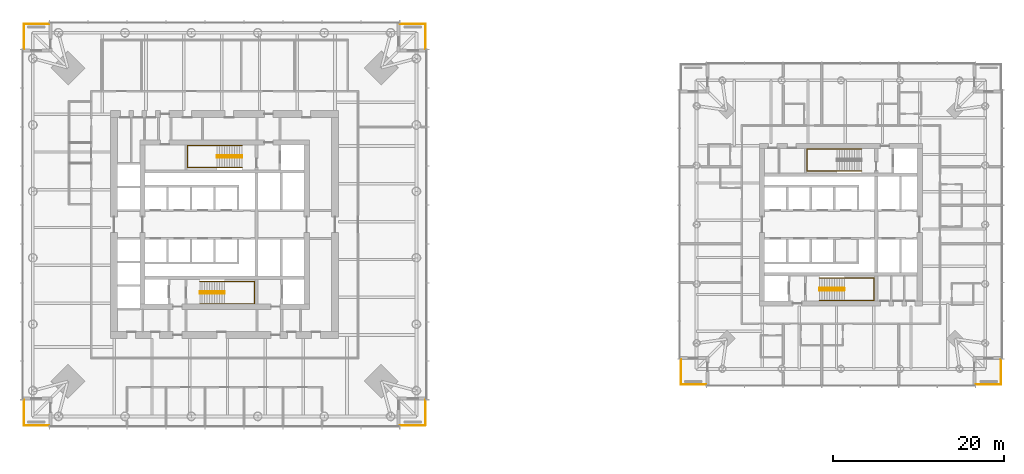
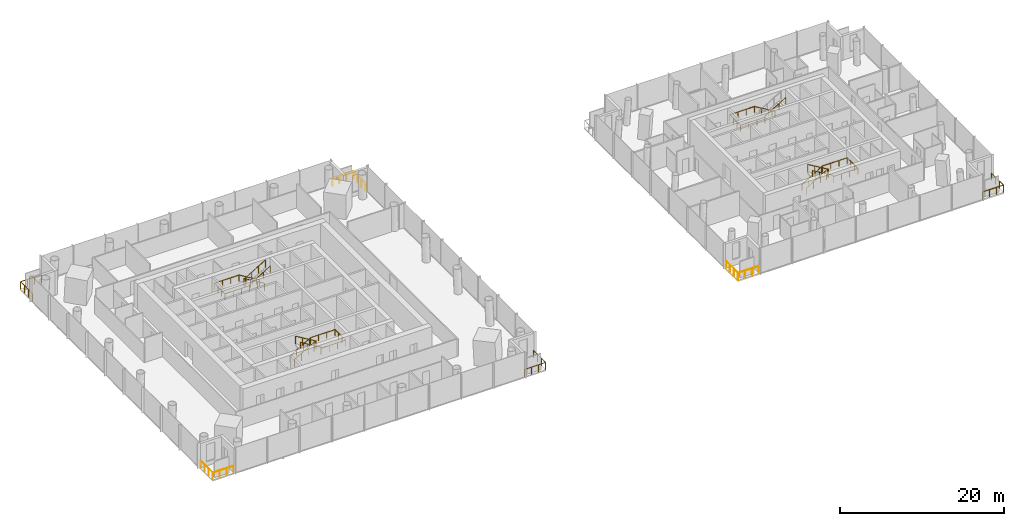
# One storey, part 17 of 18: 13 railings.
"""IFC4 building model written with IfcOpenShell, lengths in metres."""

from ifc_helpers import new_model, si_unit, direction, frame, origin, origin_2d, place, context, subcontext, project, spatial, circle, extrude, material, type_object, element, save


model = new_model("IFC4")

# Units and contexts
model_context = context("Model", 3, precision=1e-05, world=origin(), true_north=direction((0.0, 1.0)))
body_context = subcontext(model_context, "Body", "Model", "MODEL_VIEW")
ifc_project = project(units=[si_unit("LENGTHUNIT", "METRE"), si_unit("AREAUNIT", "SQUARE_METRE"), si_unit("VOLUMEUNIT", "CUBIC_METRE"), si_unit("PLANEANGLEUNIT", "RADIAN"), si_unit("MASSUNIT", "GRAM", prefix="KILO")], contexts=[model_context])

# Site, building, storey
site_placement = place(None, origin())
site = spatial("IfcSite", under=ifc_project, at=site_placement, CompositionType="ELEMENT")
building_placement = place(site_placement, origin())
building = spatial("IfcBuilding", under=site, at=building_placement, Name="Ostroluk Exchange", CompositionType="ELEMENT")
storey_placement = place(building_placement, frame((0.0, 0.0, 70.39990234375)))
storey = spatial("IfcBuildingStorey", under=building, at=storey_placement, Name="L17", CompositionType="ELEMENT", Elevation=70.39990234375)

# Railings
ifc_material_1 = material(Name="Stainless steel", Category="steel")
railing_type_1 = type_object("IfcRailingType", Name="Guard 1100 stainless steel", PredefinedType="GUARDRAIL", material=ifc_material_1)
railing_1_placement = place(storey_placement, frame((65.5, 22.550048828125, 0.0)))
element("IfcRailing", 1, at=railing_1_placement, inside=storey, type_object=railing_type_1, Name="Office tower SE balcony guard L17", PredefinedType="GUARDRAIL", context=body_context, shape_type="SweptSolid", body=[
    extrude(circle(Radius=0.02392578125, at=origin_2d()), frame((0.0, 0.0, 1.076171875), z_axis=(1.0, 0.0, 0.0), x_axis=(0.0, 1.0, 0.0)), (0.0, 0.0, 1.0), 2.949951171875),
    extrude(circle(Radius=0.02392578125, at=origin_2d()), frame((2.949951171875, 0.0, 1.076171875), z_axis=(0.0, 1.0, 0.0), x_axis=(-1.0, 0.0, 0.0)), (0.0, 0.0, 1.0), 2.949951171875),
    extrude(circle(Radius=0.02099609375, at=origin_2d()), origin(), (0.0, 0.0, 1.0), 1.052001953125),
    extrude(circle(Radius=0.02099609375, at=origin_2d()), frame((0.9833984375, 0.0, 0.0)), (0.0, 0.0, 1.0), 1.052001953125),
    extrude(circle(Radius=0.02099609375, at=origin_2d()), frame((1.966552734375, 0.0, 0.0)), (0.0, 0.0, 1.0), 1.052001953125),
    extrude(circle(Radius=0.02099609375, at=origin_2d()), frame((2.949951171875, 0.0, 0.0)), (0.0, 0.0, 1.0), 1.052001953125),
    extrude(circle(Radius=0.02099609375, at=origin_2d()), frame((2.949951171875, 0.9833984375, 0.0)), (0.0, 0.0, 1.0), 1.052001953125),
    extrude(circle(Radius=0.02099609375, at=origin_2d()), frame((2.949951171875, 1.966552734375, 0.0)), (0.0, 0.0, 1.0), 1.052001953125),
    extrude(circle(Radius=0.02099609375, at=origin_2d()), frame((2.949951171875, 2.949951171875, 0.0)), (0.0, 0.0, 1.0), 1.052001953125),
])
railing_2_placement = place(storey_placement, frame((65.5, 69.449951171875, 0.0)))
element("IfcRailing", 2, at=railing_2_placement, inside=storey, type_object=railing_type_1, Name="Office tower NE balcony guard L17", PredefinedType="GUARDRAIL", context=body_context, shape_type="SweptSolid", body=[
    extrude(circle(Radius=0.02392578125, at=origin_2d()), frame((0.0, 0.0, 1.076171875), z_axis=(1.0, 0.0, 0.0), x_axis=(0.0, 1.0, 0.0)), (0.0, 0.0, 1.0), 2.949951171875),
    extrude(circle(Radius=0.02392578125, at=origin_2d()), frame((2.949951171875, 0.0, 1.076171875), z_axis=(0.0, -1.0, 0.0), x_axis=(1.0, 0.0, 0.0)), (0.0, 0.0, 1.0), 2.949951171875),
    extrude(circle(Radius=0.02099609375, at=origin_2d()), origin(), (0.0, 0.0, 1.0), 1.052001953125),
    extrude(circle(Radius=0.02099609375, at=origin_2d()), frame((0.9833984375, 0.0, 0.0)), (0.0, 0.0, 1.0), 1.052001953125),
    extrude(circle(Radius=0.02099609375, at=origin_2d()), frame((1.966552734375, 0.0, 0.0)), (0.0, 0.0, 1.0), 1.052001953125),
    extrude(circle(Radius=0.02099609375, at=origin_2d()), frame((2.949951171875, 0.0, 0.0)), (0.0, 0.0, 1.0), 1.052001953125),
    extrude(circle(Radius=0.02099609375, at=origin_2d()), frame((2.949951171875, -0.9833984375, 0.0)), (0.0, 0.0, 1.0), 1.052001953125),
    extrude(circle(Radius=0.02099609375, at=origin_2d()), frame((2.949951171875, -1.966552734375, 0.0)), (0.0, 0.0, 1.0), 1.052001953125),
    extrude(circle(Radius=0.02099609375, at=origin_2d()), frame((2.949951171875, -2.949951171875, 0.0)), (0.0, 0.0, 1.0), 1.052001953125),
])
railing_3_placement = place(storey_placement, frame((24.5, 69.449951171875, 0.0)))
element("IfcRailing", 3, at=railing_3_placement, inside=storey, type_object=railing_type_1, Name="Office tower NW balcony guard L17", PredefinedType="GUARDRAIL", context=body_context, shape_type="SweptSolid", body=[
    extrude(circle(Radius=0.02392578125, at=origin_2d()), frame((0.0, 0.0, 1.076171875), z_axis=(-1.0, 0.0, 0.0), x_axis=(0.0, -1.0, 0.0)), (0.0, 0.0, 1.0), 2.949951171875),
    extrude(circle(Radius=0.02392578125, at=origin_2d()), frame((-2.949951171875, 0.0, 1.076171875), z_axis=(0.0, -1.0, 0.0), x_axis=(1.0, 0.0, 0.0)), (0.0, 0.0, 1.0), 2.949951171875),
    extrude(circle(Radius=0.02099609375, at=origin_2d()), origin(), (0.0, 0.0, 1.0), 1.052001953125),
    extrude(circle(Radius=0.02099609375, at=origin_2d()), frame((-0.9833984375, 0.0, 0.0)), (0.0, 0.0, 1.0), 1.052001953125),
    extrude(circle(Radius=0.02099609375, at=origin_2d()), frame((-1.966552734375, 0.0, 0.0)), (0.0, 0.0, 1.0), 1.052001953125),
    extrude(circle(Radius=0.02099609375, at=origin_2d()), frame((-2.949951171875, 0.0, 0.0)), (0.0, 0.0, 1.0), 1.052001953125),
    extrude(circle(Radius=0.02099609375, at=origin_2d()), frame((-2.949951171875, -0.9833984375, 0.0)), (0.0, 0.0, 1.0), 1.052001953125),
    extrude(circle(Radius=0.02099609375, at=origin_2d()), frame((-2.949951171875, -1.966552734375, 0.0)), (0.0, 0.0, 1.0), 1.052001953125),
    extrude(circle(Radius=0.02099609375, at=origin_2d()), frame((-2.949951171875, -2.949951171875, 0.0)), (0.0, 0.0, 1.0), 1.052001953125),
])
railing_4_placement = place(storey_placement, frame((24.5, 22.550048828125, 0.0)))
element("IfcRailing", 4, at=railing_4_placement, inside=storey, type_object=railing_type_1, Name="Office tower SW balcony guard L17", PredefinedType="GUARDRAIL", context=body_context, shape_type="SweptSolid", body=[
    extrude(circle(Radius=0.02392578125, at=origin_2d()), frame((0.0, 0.0, 1.076171875), z_axis=(-1.0, 0.0, 0.0), x_axis=(0.0, -1.0, 0.0)), (0.0, 0.0, 1.0), 2.949951171875),
    extrude(circle(Radius=0.02392578125, at=origin_2d()), frame((-2.949951171875, 0.0, 1.076171875), z_axis=(0.0, 1.0, 0.0), x_axis=(-1.0, 0.0, 0.0)), (0.0, 0.0, 1.0), 2.949951171875),
    extrude(circle(Radius=0.02099609375, at=origin_2d()), origin(), (0.0, 0.0, 1.0), 1.052001953125),
    extrude(circle(Radius=0.02099609375, at=origin_2d()), frame((-0.9833984375, 0.0, 0.0)), (0.0, 0.0, 1.0), 1.052001953125),
    extrude(circle(Radius=0.02099609375, at=origin_2d()), frame((-1.966552734375, 0.0, 0.0)), (0.0, 0.0, 1.0), 1.052001953125),
    extrude(circle(Radius=0.02099609375, at=origin_2d()), frame((-2.949951171875, 0.0, 0.0)), (0.0, 0.0, 1.0), 1.052001953125),
    extrude(circle(Radius=0.02099609375, at=origin_2d()), frame((-2.949951171875, 0.9833984375, 0.0)), (0.0, 0.0, 1.0), 1.052001953125),
    extrude(circle(Radius=0.02099609375, at=origin_2d()), frame((-2.949951171875, 1.966552734375, 0.0)), (0.0, 0.0, 1.0), 1.052001953125),
    extrude(circle(Radius=0.02099609375, at=origin_2d()), frame((-2.949951171875, 2.949951171875, 0.0)), (0.0, 0.0, 1.0), 1.052001953125),
])
railing_5_placement = place(storey_placement, frame((132.75, 27.300048828125, 0.0)))
element("IfcRailing", 5, at=railing_5_placement, inside=storey, type_object=railing_type_1, Name="Hotel tower SE balcony guard L17", PredefinedType="GUARDRAIL", context=body_context, shape_type="SweptSolid", body=[
    extrude(circle(Radius=0.02392578125, at=origin_2d()), frame((0.0, 0.0, 1.076171875), z_axis=(1.0, 0.0, 0.0), x_axis=(0.0, 1.0, 0.0)), (0.0, 0.0, 1.0), 2.949951171875),
    extrude(circle(Radius=0.02392578125, at=origin_2d()), frame((2.949951171875, 0.0, 1.076171875), z_axis=(0.0, 1.0, 0.0), x_axis=(-1.0, 0.0, 0.0)), (0.0, 0.0, 1.0), 2.949951171875),
    extrude(circle(Radius=0.02099609375, at=origin_2d()), origin(), (0.0, 0.0, 1.0), 1.052001953125),
    extrude(circle(Radius=0.02099609375, at=origin_2d()), frame((0.9833984375, 0.0, 0.0)), (0.0, 0.0, 1.0), 1.052001953125),
    extrude(circle(Radius=0.02099609375, at=origin_2d()), frame((1.966552734375, 0.0, 0.0)), (0.0, 0.0, 1.0), 1.052001953125),
    extrude(circle(Radius=0.02099609375, at=origin_2d()), frame((2.949951171875, 0.0, 0.0)), (0.0, 0.0, 1.0), 1.052001953125),
    extrude(circle(Radius=0.02099609375, at=origin_2d()), frame((2.949951171875, 0.9833984375, 0.0)), (0.0, 0.0, 1.0), 1.052001953125),
    extrude(circle(Radius=0.02099609375, at=origin_2d()), frame((2.949951171875, 1.966552734375, 0.0)), (0.0, 0.0, 1.0), 1.052001953125),
    extrude(circle(Radius=0.02099609375, at=origin_2d()), frame((2.949951171875, 2.949951171875, 0.0)), (0.0, 0.0, 1.0), 1.052001953125),
])
railing_6_placement = place(storey_placement, frame((101.25, 27.300048828125, 0.0)))
element("IfcRailing", 6, at=railing_6_placement, inside=storey, type_object=railing_type_1, Name="Hotel tower SW balcony guard L17", PredefinedType="GUARDRAIL", context=body_context, shape_type="SweptSolid", body=[
    extrude(circle(Radius=0.02392578125, at=origin_2d()), frame((0.0, 0.0, 1.076171875), z_axis=(-1.0, 0.0, 0.0), x_axis=(0.0, -1.0, 0.0)), (0.0, 0.0, 1.0), 2.949951171875),
    extrude(circle(Radius=0.02392578125, at=origin_2d()), frame((-2.949951171875, 0.0, 1.076171875), z_axis=(0.0, 1.0, 0.0), x_axis=(-1.0, 0.0, 0.0)), (0.0, 0.0, 1.0), 2.949951171875),
    extrude(circle(Radius=0.02099609375, at=origin_2d()), origin(), (0.0, 0.0, 1.0), 1.052001953125),
    extrude(circle(Radius=0.02099609375, at=origin_2d()), frame((-0.9833984375, 0.0, 0.0)), (0.0, 0.0, 1.0), 1.052001953125),
    extrude(circle(Radius=0.02099609375, at=origin_2d()), frame((-1.966552734375, 0.0, 0.0)), (0.0, 0.0, 1.0), 1.052001953125),
    extrude(circle(Radius=0.02099609375, at=origin_2d()), frame((-2.949951171875, 0.0, 0.0)), (0.0, 0.0, 1.0), 1.052001953125),
    extrude(circle(Radius=0.02099609375, at=origin_2d()), frame((-2.949951171875, 0.9833984375, 0.0)), (0.0, 0.0, 1.0), 1.052001953125),
    extrude(circle(Radius=0.02099609375, at=origin_2d()), frame((-2.949951171875, 1.966552734375, 0.0)), (0.0, 0.0, 1.0), 1.052001953125),
    extrude(circle(Radius=0.02099609375, at=origin_2d()), frame((-2.949951171875, 2.949951171875, 0.0)), (0.0, 0.0, 1.0), 1.052001953125),
])
ifc_material_2 = material(Name="Steel S355", Category="steel")
railing_type_2 = type_object("IfcRailingType", Name="Stair guard 1100", PredefinedType="GUARDRAIL", material=ifc_material_2)
railing_7_placement = place(storey_placement, frame((42.10009765625, 38.179931640625, 0.1728515625)))
element("IfcRailing", 7, at=railing_7_placement, inside=storey, type_object=railing_type_2, Name="Stair T1-S1 guard L17", PredefinedType="GUARDRAIL", context=body_context, shape_type="SweptSolid", body=[
    extrude(circle(Radius=0.02392578125, at=origin_2d()), frame((0.0, 0.0, 1.076171875), z_axis=(0.859141464434, 0.0, 0.511738159696), x_axis=(0.0, 1.0, 0.0)), (0.0, 0.0, 1.0), 3.375244140625),
    extrude(circle(Radius=0.02392578125, at=origin_2d()), frame((2.89990234375, 0.0, 2.80322265625), z_axis=(0.0, -1.0, 0.0), x_axis=(1.0, 0.0, 0.0)), (0.0, 0.0, 1.0), 0.260009765625),
    extrude(circle(Radius=0.02392578125, at=origin_2d()), frame((2.89990234375, -0.260009765625, 2.80322265625), z_axis=(0.0, 0.0, 1.0), x_axis=(1.0, 0.0, 0.0)), (0.0, 0.0, 1.0), 0.172607421875),
    extrude(circle(Radius=0.02392578125, at=origin_2d()), frame((2.89990234375, -0.260009765625, 2.97607421875), z_axis=(-0.859141464434, 0.0, 0.511738159696), x_axis=(0.0, -1.0, 0.0)), (0.0, 0.0, 1.0), 3.375244140625),
    extrude(circle(Radius=0.02099609375, at=origin_2d()), origin(), (0.0, 0.0, 1.0), 1.052001953125),
    extrude(circle(Radius=0.02099609375, at=origin_2d()), frame((0.966552734375, 0.0, 0.57568359375)), (0.0, 0.0, 1.0), 1.052001953125),
    extrude(circle(Radius=0.02099609375, at=origin_2d()), frame((1.933349609375, 0.0, 1.151611328125)), (0.0, 0.0, 1.0), 1.052001953125),
    extrude(circle(Radius=0.02099609375, at=origin_2d()), frame((2.89990234375, 0.0, 1.727294921875)), (0.0, 0.0, 1.0), 1.052001953125),
    extrude(circle(Radius=0.02099609375, at=origin_2d()), frame((2.89990234375, -0.260009765625, 1.727294921875)), (0.0, 0.0, 1.0), 1.052001953125),
    extrude(circle(Radius=0.02099609375, at=origin_2d()), frame((2.89990234375, -0.260009765625, 1.89990234375)), (0.0, 0.0, 1.0), 1.052001953125),
    extrude(circle(Radius=0.02099609375, at=origin_2d()), frame((1.933349609375, -0.260009765625, 2.4755859375)), (0.0, 0.0, 1.0), 1.052001953125),
    extrude(circle(Radius=0.02099609375, at=origin_2d()), frame((0.966552734375, -0.260009765625, 3.051513671875)), (0.0, 0.0, 1.0), 1.052001953125),
    extrude(circle(Radius=0.02099609375, at=origin_2d()), frame((0.0, -0.260009765625, 3.627197265625)), (0.0, 0.0, 1.0), 1.052001953125),
])
railing_8_placement = place(storey_placement, frame((47.030029296875, 54.080078125, 0.1728515625)))
element("IfcRailing", 8, at=railing_8_placement, inside=storey, type_object=railing_type_2, Name="Stair T1-S2 guard L17", PredefinedType="GUARDRAIL", context=body_context, shape_type="SweptSolid", body=[
    extrude(circle(Radius=0.02392578125, at=origin_2d()), frame((0.0, 0.0, 1.076171875), z_axis=(-0.859160404282, 0.0, 0.51170636083), x_axis=(0.0, -1.0, 0.0)), (0.0, 0.0, 1.0), 3.37548828125),
    extrude(circle(Radius=0.02392578125, at=origin_2d()), frame((-2.900146484375, 0.0, 2.80322265625), z_axis=(0.0, -1.0, 0.0), x_axis=(1.0, 0.0, 0.0)), (0.0, 0.0, 1.0), 0.260009765625),
    extrude(circle(Radius=0.02392578125, at=origin_2d()), frame((-2.900146484375, -0.260009765625, 2.80322265625), z_axis=(0.0, 0.0, 1.0), x_axis=(1.0, 0.0, 0.0)), (0.0, 0.0, 1.0), 0.172607421875),
    extrude(circle(Radius=0.02392578125, at=origin_2d()), frame((-2.900146484375, -0.260009765625, 2.97607421875), z_axis=(0.859160404282, 0.0, 0.51170636083), x_axis=(0.0, 1.0, 0.0)), (0.0, 0.0, 1.0), 3.37548828125),
    extrude(circle(Radius=0.02099609375, at=origin_2d()), origin(), (0.0, 0.0, 1.0), 1.052001953125),
    extrude(circle(Radius=0.02099609375, at=origin_2d()), frame((-0.966796875, 0.0, 0.57568359375)), (0.0, 0.0, 1.0), 1.052001953125),
    extrude(circle(Radius=0.02099609375, at=origin_2d()), frame((-1.933349609375, 0.0, 1.151611328125)), (0.0, 0.0, 1.0), 1.052001953125),
    extrude(circle(Radius=0.02099609375, at=origin_2d()), frame((-2.900146484375, 0.0, 1.727294921875)), (0.0, 0.0, 1.0), 1.052001953125),
    extrude(circle(Radius=0.02099609375, at=origin_2d()), frame((-2.900146484375, -0.260009765625, 1.727294921875)), (0.0, 0.0, 1.0), 1.052001953125),
    extrude(circle(Radius=0.02099609375, at=origin_2d()), frame((-2.900146484375, -0.260009765625, 1.89990234375)), (0.0, 0.0, 1.0), 1.052001953125),
    extrude(circle(Radius=0.02099609375, at=origin_2d()), frame((-1.933349609375, -0.260009765625, 2.4755859375)), (0.0, 0.0, 1.0), 1.052001953125),
    extrude(circle(Radius=0.02099609375, at=origin_2d()), frame((-0.966796875, -0.260009765625, 3.051513671875)), (0.0, 0.0, 1.0), 1.052001953125),
    extrude(circle(Radius=0.02099609375, at=origin_2d()), frame((0.0, -0.260009765625, 3.627197265625)), (0.0, 0.0, 1.0), 1.052001953125),
])
railing_9_placement = place(storey_placement, frame((114.5, 38.580078125, 0.1728515625)))
element("IfcRailing", 9, at=railing_9_placement, inside=storey, type_object=railing_type_2, Name="Stair T2-S1 guard L17", PredefinedType="GUARDRAIL", context=body_context, shape_type="SweptSolid", body=[
    extrude(circle(Radius=0.02392578125, at=origin_2d()), frame((0.0, 0.0, 1.076171875), z_axis=(0.859141464434, 0.0, 0.511738159696), x_axis=(0.0, 1.0, 0.0)), (0.0, 0.0, 1.0), 3.375244140625),
    extrude(circle(Radius=0.02392578125, at=origin_2d()), frame((2.89990234375, 0.0, 2.80322265625), z_axis=(0.0, -1.0, 0.0), x_axis=(1.0, 0.0, 0.0)), (0.0, 0.0, 1.0), 0.260009765625),
    extrude(circle(Radius=0.02392578125, at=origin_2d()), frame((2.89990234375, -0.260009765625, 2.80322265625), z_axis=(0.0, 0.0, 1.0), x_axis=(1.0, 0.0, 0.0)), (0.0, 0.0, 1.0), 0.172607421875),
    extrude(circle(Radius=0.02392578125, at=origin_2d()), frame((2.89990234375, -0.260009765625, 2.97607421875), z_axis=(-0.859141464434, 0.0, 0.511738159696), x_axis=(0.0, -1.0, 0.0)), (0.0, 0.0, 1.0), 3.375244140625),
    extrude(circle(Radius=0.02099609375, at=origin_2d()), origin(), (0.0, 0.0, 1.0), 1.052001953125),
    extrude(circle(Radius=0.02099609375, at=origin_2d()), frame((0.966552734375, 0.0, 0.57568359375)), (0.0, 0.0, 1.0), 1.052001953125),
    extrude(circle(Radius=0.02099609375, at=origin_2d()), frame((1.933349609375, 0.0, 1.151611328125)), (0.0, 0.0, 1.0), 1.052001953125),
    extrude(circle(Radius=0.02099609375, at=origin_2d()), frame((2.89990234375, 0.0, 1.727294921875)), (0.0, 0.0, 1.0), 1.052001953125),
    extrude(circle(Radius=0.02099609375, at=origin_2d()), frame((2.89990234375, -0.260009765625, 1.727294921875)), (0.0, 0.0, 1.0), 1.052001953125),
    extrude(circle(Radius=0.02099609375, at=origin_2d()), frame((2.89990234375, -0.260009765625, 1.89990234375)), (0.0, 0.0, 1.0), 1.052001953125),
    extrude(circle(Radius=0.02099609375, at=origin_2d()), frame((1.933349609375, -0.260009765625, 2.4755859375)), (0.0, 0.0, 1.0), 1.052001953125),
    extrude(circle(Radius=0.02099609375, at=origin_2d()), frame((0.966552734375, -0.260009765625, 3.051513671875)), (0.0, 0.0, 1.0), 1.052001953125),
    extrude(circle(Radius=0.02099609375, at=origin_2d()), frame((0.0, -0.260009765625, 3.627197265625)), (0.0, 0.0, 1.0), 1.052001953125),
])
ifc_material_3 = material(Name="Stainless steel", Category="steel")
railing_type_3 = type_object("IfcRailingType", Name="Stair handrail 900", PredefinedType="HANDRAIL", material=ifc_material_3)
railing_10_placement = place(storey_placement, frame((42.10009765625, 39.35009765625, 0.1728515625)))
element("IfcRailing", 10, at=railing_10_placement, inside=storey, type_object=railing_type_3, Name="Stair T1-S1 handrail L17", PredefinedType="HANDRAIL", context=body_context, shape_type="SweptSolid", body=[
    extrude(circle(Radius=0.02392578125, at=origin_2d()), frame((0.0, 0.0, 0.8759765625), z_axis=(0.859141464434, 0.0, 0.511738159696), x_axis=(0.0, 1.0, 0.0)), (0.0, 0.0, 1.0), 3.375244140625),
    extrude(circle(Radius=0.02392578125, at=origin_2d()), frame((2.89990234375, 0.0, 2.60302734375), z_axis=(1.0, 0.0, 0.0), x_axis=(0.0, 1.0, 0.0)), (0.0, 0.0, 1.0), 3.47998046875),
    extrude(circle(Radius=0.02392578125, at=origin_2d()), frame((6.3798828125, 0.0, 2.60302734375), z_axis=(0.0, -1.0, 0.0), x_axis=(1.0, 0.0, 0.0)), (0.0, 0.0, 1.0), 2.60009765625),
    extrude(circle(Radius=0.02392578125, at=origin_2d()), frame((6.3798828125, -2.60009765625, 2.60302734375), z_axis=(-1.0, 0.0, 0.0), x_axis=(0.0, -1.0, 0.0)), (0.0, 0.0, 1.0), 3.47998046875),
    extrude(circle(Radius=0.02392578125, at=origin_2d()), frame((2.89990234375, -2.60009765625, 2.60302734375), z_axis=(0.0, 0.0, 1.0), x_axis=(1.0, 0.0, 0.0)), (0.0, 0.0, 1.0), 0.172607421875),
    extrude(circle(Radius=0.02392578125, at=origin_2d()), frame((2.89990234375, -2.60009765625, 2.77587890625), z_axis=(-0.859141464434, 0.0, 0.511738159696), x_axis=(0.0, -1.0, 0.0)), (0.0, 0.0, 1.0), 3.375244140625),
    extrude(circle(Radius=0.02099609375, at=origin_2d()), origin(), (0.0, 0.0, 1.0), 0.851806640625),
    extrude(circle(Radius=0.02099609375, at=origin_2d()), frame((0.966552734375, 0.0, 0.57568359375)), (0.0, 0.0, 1.0), 0.851806640625),
    extrude(circle(Radius=0.02099609375, at=origin_2d()), frame((1.933349609375, 0.0, 1.151611328125)), (0.0, 0.0, 1.0), 0.851806640625),
    extrude(circle(Radius=0.02099609375, at=origin_2d()), frame((2.89990234375, 0.0, 1.727294921875)), (0.0, 0.0, 1.0), 0.851806640625),
    extrude(circle(Radius=0.02099609375, at=origin_2d()), frame((4.059814453125, 0.0, 1.727294921875)), (0.0, 0.0, 1.0), 0.851806640625),
    extrude(circle(Radius=0.02099609375, at=origin_2d()), frame((5.219970703125, 0.0, 1.727294921875)), (0.0, 0.0, 1.0), 0.851806640625),
    extrude(circle(Radius=0.02099609375, at=origin_2d()), frame((6.3798828125, 0.0, 1.727294921875)), (0.0, 0.0, 1.0), 0.851806640625),
    extrude(circle(Radius=0.02099609375, at=origin_2d()), frame((6.3798828125, -0.86669921875, 1.727294921875)), (0.0, 0.0, 1.0), 0.851806640625),
    extrude(circle(Radius=0.02099609375, at=origin_2d()), frame((6.3798828125, -1.7333984375, 1.727294921875)), (0.0, 0.0, 1.0), 0.851806640625),
    extrude(circle(Radius=0.02099609375, at=origin_2d()), frame((6.3798828125, -2.60009765625, 1.727294921875)), (0.0, 0.0, 1.0), 0.851806640625),
    extrude(circle(Radius=0.02099609375, at=origin_2d()), frame((5.219970703125, -2.60009765625, 1.727294921875)), (0.0, 0.0, 1.0), 0.851806640625),
    extrude(circle(Radius=0.02099609375, at=origin_2d()), frame((4.059814453125, -2.60009765625, 1.727294921875)), (0.0, 0.0, 1.0), 0.851806640625),
    extrude(circle(Radius=0.02099609375, at=origin_2d()), frame((2.89990234375, -2.60009765625, 1.727294921875)), (0.0, 0.0, 1.0), 0.851806640625),
    extrude(circle(Radius=0.02099609375, at=origin_2d()), frame((2.89990234375, -2.60009765625, 1.89990234375)), (0.0, 0.0, 1.0), 0.851806640625),
    extrude(circle(Radius=0.02099609375, at=origin_2d()), frame((1.933349609375, -2.60009765625, 2.4755859375)), (0.0, 0.0, 1.0), 0.851806640625),
    extrude(circle(Radius=0.02099609375, at=origin_2d()), frame((0.966552734375, -2.60009765625, 3.051513671875)), (0.0, 0.0, 1.0), 0.851806640625),
    extrude(circle(Radius=0.02099609375, at=origin_2d()), frame((0.0, -2.60009765625, 3.627197265625)), (0.0, 0.0, 1.0), 0.851806640625),
])
railing_11_placement = place(storey_placement, frame((47.030029296875, 55.25, 0.1728515625)))
element("IfcRailing", 11, at=railing_11_placement, inside=storey, type_object=railing_type_3, Name="Stair T1-S2 handrail L17", PredefinedType="HANDRAIL", context=body_context, shape_type="SweptSolid", body=[
    extrude(circle(Radius=0.02392578125, at=origin_2d()), frame((0.0, 0.0, 0.8759765625), z_axis=(-0.859160404282, 0.0, 0.51170636083), x_axis=(0.0, -1.0, 0.0)), (0.0, 0.0, 1.0), 3.37548828125),
    extrude(circle(Radius=0.02392578125, at=origin_2d()), frame((-2.900146484375, 0.0, 2.60302734375), z_axis=(-1.0, 0.0, 0.0), x_axis=(0.0, -1.0, 0.0)), (0.0, 0.0, 1.0), 3.47998046875),
    extrude(circle(Radius=0.02392578125, at=origin_2d()), frame((-6.380126953125, 0.0, 2.60302734375), z_axis=(0.0, -1.0, 0.0), x_axis=(1.0, 0.0, 0.0)), (0.0, 0.0, 1.0), 2.60009765625),
    extrude(circle(Radius=0.02392578125, at=origin_2d()), frame((-6.380126953125, -2.60009765625, 2.60302734375), z_axis=(1.0, 0.0, 0.0), x_axis=(0.0, 1.0, 0.0)), (0.0, 0.0, 1.0), 3.47998046875),
    extrude(circle(Radius=0.02392578125, at=origin_2d()), frame((-2.900146484375, -2.60009765625, 2.60302734375), z_axis=(0.0, 0.0, 1.0), x_axis=(1.0, 0.0, 0.0)), (0.0, 0.0, 1.0), 0.172607421875),
    extrude(circle(Radius=0.02392578125, at=origin_2d()), frame((-2.900146484375, -2.60009765625, 2.77587890625), z_axis=(0.859160404282, 0.0, 0.51170636083), x_axis=(0.0, 1.0, 0.0)), (0.0, 0.0, 1.0), 3.37548828125),
    extrude(circle(Radius=0.02099609375, at=origin_2d()), origin(), (0.0, 0.0, 1.0), 0.851806640625),
    extrude(circle(Radius=0.02099609375, at=origin_2d()), frame((-0.966796875, 0.0, 0.57568359375)), (0.0, 0.0, 1.0), 0.851806640625),
    extrude(circle(Radius=0.02099609375, at=origin_2d()), frame((-1.933349609375, 0.0, 1.151611328125)), (0.0, 0.0, 1.0), 0.851806640625),
    extrude(circle(Radius=0.02099609375, at=origin_2d()), frame((-2.900146484375, 0.0, 1.727294921875)), (0.0, 0.0, 1.0), 0.851806640625),
    extrude(circle(Radius=0.02099609375, at=origin_2d()), frame((-4.06005859375, 0.0, 1.727294921875)), (0.0, 0.0, 1.0), 0.851806640625),
    extrude(circle(Radius=0.02099609375, at=origin_2d()), frame((-5.22021484375, 0.0, 1.727294921875)), (0.0, 0.0, 1.0), 0.851806640625),
    extrude(circle(Radius=0.02099609375, at=origin_2d()), frame((-6.380126953125, 0.0, 1.727294921875)), (0.0, 0.0, 1.0), 0.851806640625),
    extrude(circle(Radius=0.02099609375, at=origin_2d()), frame((-6.380126953125, -0.86669921875, 1.727294921875)), (0.0, 0.0, 1.0), 0.851806640625),
    extrude(circle(Radius=0.02099609375, at=origin_2d()), frame((-6.380126953125, -1.7333984375, 1.727294921875)), (0.0, 0.0, 1.0), 0.851806640625),
    extrude(circle(Radius=0.02099609375, at=origin_2d()), frame((-6.380126953125, -2.60009765625, 1.727294921875)), (0.0, 0.0, 1.0), 0.851806640625),
    extrude(circle(Radius=0.02099609375, at=origin_2d()), frame((-5.22021484375, -2.60009765625, 1.727294921875)), (0.0, 0.0, 1.0), 0.851806640625),
    extrude(circle(Radius=0.02099609375, at=origin_2d()), frame((-4.06005859375, -2.60009765625, 1.727294921875)), (0.0, 0.0, 1.0), 0.851806640625),
    extrude(circle(Radius=0.02099609375, at=origin_2d()), frame((-2.900146484375, -2.60009765625, 1.727294921875)), (0.0, 0.0, 1.0), 0.851806640625),
    extrude(circle(Radius=0.02099609375, at=origin_2d()), frame((-2.900146484375, -2.60009765625, 1.89990234375)), (0.0, 0.0, 1.0), 0.851806640625),
    extrude(circle(Radius=0.02099609375, at=origin_2d()), frame((-1.933349609375, -2.60009765625, 2.4755859375)), (0.0, 0.0, 1.0), 0.851806640625),
    extrude(circle(Radius=0.02099609375, at=origin_2d()), frame((-0.966796875, -2.60009765625, 3.051513671875)), (0.0, 0.0, 1.0), 0.851806640625),
    extrude(circle(Radius=0.02099609375, at=origin_2d()), frame((0.0, -2.60009765625, 3.627197265625)), (0.0, 0.0, 1.0), 0.851806640625),
])
railing_12_placement = place(storey_placement, frame((114.5, 39.75, 0.1728515625)))
element("IfcRailing", 12, at=railing_12_placement, inside=storey, type_object=railing_type_3, Name="Stair T2-S1 handrail L17", PredefinedType="HANDRAIL", context=body_context, shape_type="SweptSolid", body=[
    extrude(circle(Radius=0.02392578125, at=origin_2d()), frame((0.0, 0.0, 0.8759765625), z_axis=(0.859141464434, 0.0, 0.511738159696), x_axis=(0.0, 1.0, 0.0)), (0.0, 0.0, 1.0), 3.375244140625),
    extrude(circle(Radius=0.02392578125, at=origin_2d()), frame((2.89990234375, 0.0, 2.60302734375), z_axis=(1.0, 0.0, 0.0), x_axis=(0.0, 1.0, 0.0)), (0.0, 0.0, 1.0), 3.47998046875),
    extrude(circle(Radius=0.02392578125, at=origin_2d()), frame((6.3798828125, 0.0, 2.60302734375), z_axis=(0.0, -1.0, 0.0), x_axis=(1.0, 0.0, 0.0)), (0.0, 0.0, 1.0), 2.60009765625),
    extrude(circle(Radius=0.02392578125, at=origin_2d()), frame((6.3798828125, -2.60009765625, 2.60302734375), z_axis=(-1.0, 0.0, 0.0), x_axis=(0.0, -1.0, 0.0)), (0.0, 0.0, 1.0), 3.47998046875),
    extrude(circle(Radius=0.02392578125, at=origin_2d()), frame((2.89990234375, -2.60009765625, 2.60302734375), z_axis=(0.0, 0.0, 1.0), x_axis=(1.0, 0.0, 0.0)), (0.0, 0.0, 1.0), 0.172607421875),
    extrude(circle(Radius=0.02392578125, at=origin_2d()), frame((2.89990234375, -2.60009765625, 2.77587890625), z_axis=(-0.859141464434, 0.0, 0.511738159696), x_axis=(0.0, -1.0, 0.0)), (0.0, 0.0, 1.0), 3.375244140625),
    extrude(circle(Radius=0.02099609375, at=origin_2d()), origin(), (0.0, 0.0, 1.0), 0.851806640625),
    extrude(circle(Radius=0.02099609375, at=origin_2d()), frame((0.966552734375, 0.0, 0.57568359375)), (0.0, 0.0, 1.0), 0.851806640625),
    extrude(circle(Radius=0.02099609375, at=origin_2d()), frame((1.933349609375, 0.0, 1.151611328125)), (0.0, 0.0, 1.0), 0.851806640625),
    extrude(circle(Radius=0.02099609375, at=origin_2d()), frame((2.89990234375, 0.0, 1.727294921875)), (0.0, 0.0, 1.0), 0.851806640625),
    extrude(circle(Radius=0.02099609375, at=origin_2d()), frame((4.059814453125, 0.0, 1.727294921875)), (0.0, 0.0, 1.0), 0.851806640625),
    extrude(circle(Radius=0.02099609375, at=origin_2d()), frame((5.219970703125, 0.0, 1.727294921875)), (0.0, 0.0, 1.0), 0.851806640625),
    extrude(circle(Radius=0.02099609375, at=origin_2d()), frame((6.3798828125, 0.0, 1.727294921875)), (0.0, 0.0, 1.0), 0.851806640625),
    extrude(circle(Radius=0.02099609375, at=origin_2d()), frame((6.3798828125, -0.86669921875, 1.727294921875)), (0.0, 0.0, 1.0), 0.851806640625),
    extrude(circle(Radius=0.02099609375, at=origin_2d()), frame((6.3798828125, -1.7333984375, 1.727294921875)), (0.0, 0.0, 1.0), 0.851806640625),
    extrude(circle(Radius=0.02099609375, at=origin_2d()), frame((6.3798828125, -2.60009765625, 1.727294921875)), (0.0, 0.0, 1.0), 0.851806640625),
    extrude(circle(Radius=0.02099609375, at=origin_2d()), frame((5.219970703125, -2.60009765625, 1.727294921875)), (0.0, 0.0, 1.0), 0.851806640625),
    extrude(circle(Radius=0.02099609375, at=origin_2d()), frame((4.059814453125, -2.60009765625, 1.727294921875)), (0.0, 0.0, 1.0), 0.851806640625),
    extrude(circle(Radius=0.02099609375, at=origin_2d()), frame((2.89990234375, -2.60009765625, 1.727294921875)), (0.0, 0.0, 1.0), 0.851806640625),
    extrude(circle(Radius=0.02099609375, at=origin_2d()), frame((2.89990234375, -2.60009765625, 1.89990234375)), (0.0, 0.0, 1.0), 0.851806640625),
    extrude(circle(Radius=0.02099609375, at=origin_2d()), frame((1.933349609375, -2.60009765625, 2.4755859375)), (0.0, 0.0, 1.0), 0.851806640625),
    extrude(circle(Radius=0.02099609375, at=origin_2d()), frame((0.966552734375, -2.60009765625, 3.051513671875)), (0.0, 0.0, 1.0), 0.851806640625),
    extrude(circle(Radius=0.02099609375, at=origin_2d()), frame((0.0, -2.60009765625, 3.627197265625)), (0.0, 0.0, 1.0), 0.851806640625),
])
railing_13_placement = place(storey_placement, frame((119.429931640625, 54.85009765625, 0.1728515625)))
element("IfcRailing", 13, at=railing_13_placement, inside=storey, type_object=railing_type_3, Name="Stair T2-S2 handrail L17", PredefinedType="HANDRAIL", context=body_context, shape_type="SweptSolid", body=[
    extrude(circle(Radius=0.02392578125, at=origin_2d()), frame((0.0, 0.0, 0.8759765625), z_axis=(-0.859141464434, 0.0, 0.511738159696), x_axis=(0.0, -1.0, 0.0)), (0.0, 0.0, 1.0), 3.375244140625),
    extrude(circle(Radius=0.02392578125, at=origin_2d()), frame((-2.89990234375, 0.0, 2.60302734375), z_axis=(-1.0, 0.0, 0.0), x_axis=(0.0, -1.0, 0.0)), (0.0, 0.0, 1.0), 3.47998046875),
    extrude(circle(Radius=0.02392578125, at=origin_2d()), frame((-6.3798828125, 0.0, 2.60302734375), z_axis=(0.0, -1.0, 0.0), x_axis=(1.0, 0.0, 0.0)), (0.0, 0.0, 1.0), 2.60009765625),
    extrude(circle(Radius=0.02392578125, at=origin_2d()), frame((-6.3798828125, -2.60009765625, 2.60302734375), z_axis=(1.0, 0.0, 0.0), x_axis=(0.0, 1.0, 0.0)), (0.0, 0.0, 1.0), 3.47998046875),
    extrude(circle(Radius=0.02392578125, at=origin_2d()), frame((-2.89990234375, -2.60009765625, 2.60302734375), z_axis=(0.0, 0.0, 1.0), x_axis=(1.0, 0.0, 0.0)), (0.0, 0.0, 1.0), 0.172607421875),
    extrude(circle(Radius=0.02392578125, at=origin_2d()), frame((-2.89990234375, -2.60009765625, 2.77587890625), z_axis=(0.859141464434, 0.0, 0.511738159696), x_axis=(0.0, 1.0, 0.0)), (0.0, 0.0, 1.0), 3.375244140625),
    extrude(circle(Radius=0.02099609375, at=origin_2d()), origin(), (0.0, 0.0, 1.0), 0.851806640625),
    extrude(circle(Radius=0.02099609375, at=origin_2d()), frame((-0.966552734375, 0.0, 0.57568359375)), (0.0, 0.0, 1.0), 0.851806640625),
    extrude(circle(Radius=0.02099609375, at=origin_2d()), frame((-1.933349609375, 0.0, 1.151611328125)), (0.0, 0.0, 1.0), 0.851806640625),
    extrude(circle(Radius=0.02099609375, at=origin_2d()), frame((-2.89990234375, 0.0, 1.727294921875)), (0.0, 0.0, 1.0), 0.851806640625),
    extrude(circle(Radius=0.02099609375, at=origin_2d()), frame((-4.059814453125, 0.0, 1.727294921875)), (0.0, 0.0, 1.0), 0.851806640625),
    extrude(circle(Radius=0.02099609375, at=origin_2d()), frame((-5.219970703125, 0.0, 1.727294921875)), (0.0, 0.0, 1.0), 0.851806640625),
    extrude(circle(Radius=0.02099609375, at=origin_2d()), frame((-6.3798828125, 0.0, 1.727294921875)), (0.0, 0.0, 1.0), 0.851806640625),
    extrude(circle(Radius=0.02099609375, at=origin_2d()), frame((-6.3798828125, -0.86669921875, 1.727294921875)), (0.0, 0.0, 1.0), 0.851806640625),
    extrude(circle(Radius=0.02099609375, at=origin_2d()), frame((-6.3798828125, -1.7333984375, 1.727294921875)), (0.0, 0.0, 1.0), 0.851806640625),
    extrude(circle(Radius=0.02099609375, at=origin_2d()), frame((-6.3798828125, -2.60009765625, 1.727294921875)), (0.0, 0.0, 1.0), 0.851806640625),
    extrude(circle(Radius=0.02099609375, at=origin_2d()), frame((-5.219970703125, -2.60009765625, 1.727294921875)), (0.0, 0.0, 1.0), 0.851806640625),
    extrude(circle(Radius=0.02099609375, at=origin_2d()), frame((-4.059814453125, -2.60009765625, 1.727294921875)), (0.0, 0.0, 1.0), 0.851806640625),
    extrude(circle(Radius=0.02099609375, at=origin_2d()), frame((-2.89990234375, -2.60009765625, 1.727294921875)), (0.0, 0.0, 1.0), 0.851806640625),
    extrude(circle(Radius=0.02099609375, at=origin_2d()), frame((-2.89990234375, -2.60009765625, 1.89990234375)), (0.0, 0.0, 1.0), 0.851806640625),
    extrude(circle(Radius=0.02099609375, at=origin_2d()), frame((-1.933349609375, -2.60009765625, 2.4755859375)), (0.0, 0.0, 1.0), 0.851806640625),
    extrude(circle(Radius=0.02099609375, at=origin_2d()), frame((-0.966552734375, -2.60009765625, 3.051513671875)), (0.0, 0.0, 1.0), 0.851806640625),
    extrude(circle(Radius=0.02099609375, at=origin_2d()), frame((0.0, -2.60009765625, 3.627197265625)), (0.0, 0.0, 1.0), 0.851806640625),
])

save(model, "model.ifc")
